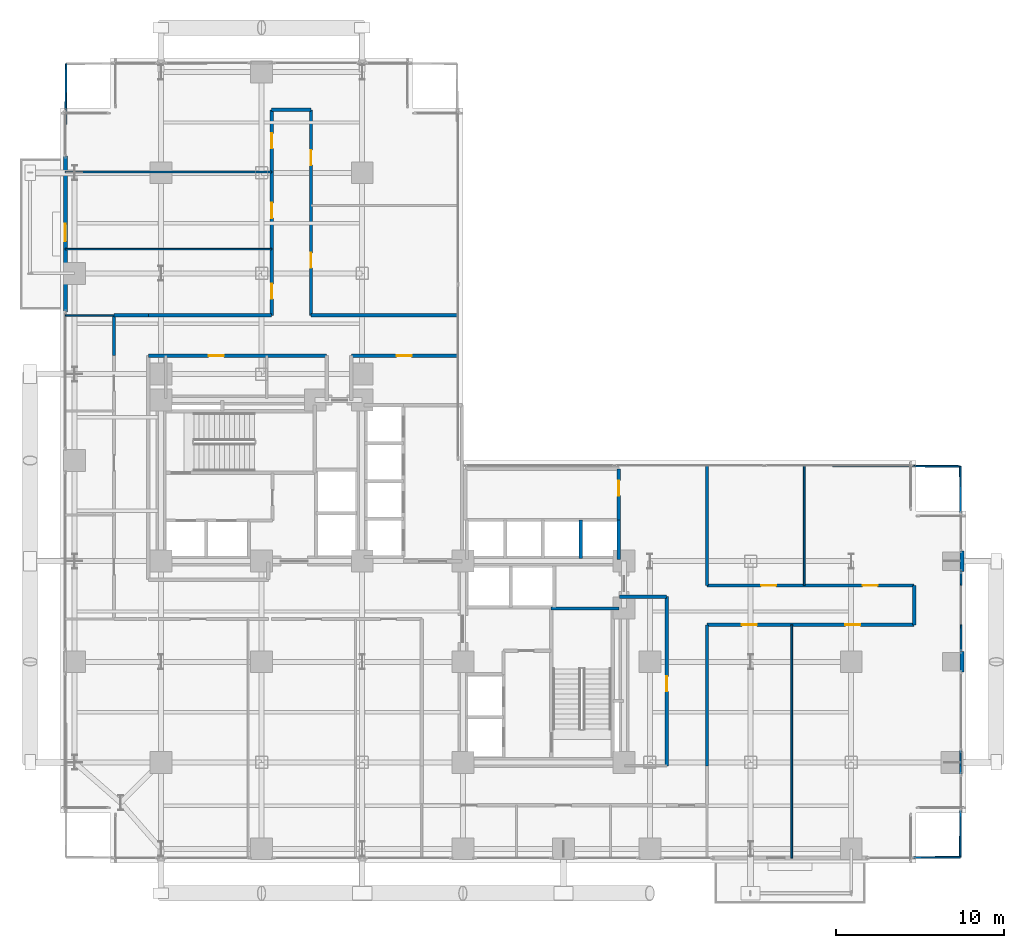
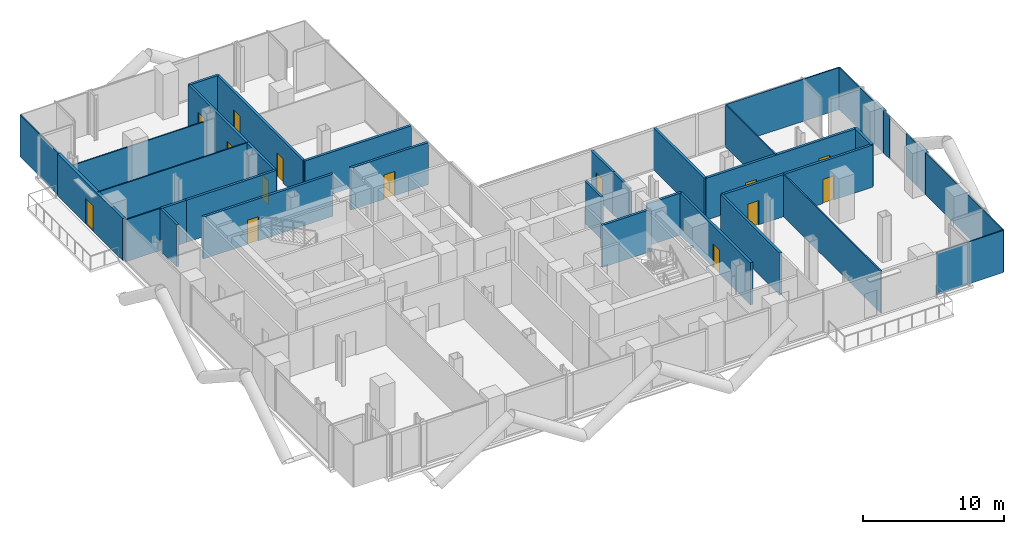
# One storey, part 23 of 27: 35 walls, 14 doors, 14 openings.
"""IFC4 building model written with IfcOpenShell, lengths in metres."""

import ifcopenshell
import ifcopenshell.guid

model = None  # the IFC model being written
_history = None  # IfcOwnerHistory: only IFC2X3 demands one
_inside = {}  # id of a spatial element -> (the spatial element, [elements in it])
_under = {}  # id of a project, library or spatial element -> (it, [spatial elements below it])
_declared = {}  # id of a project -> (the project, [libraries it declares])
_typed = {}  # id of a type object -> (the type object, [elements of that type])
_made_of = {}  # id of a material, layer set ... -> (it, [elements and type objects made of it])


def new_model(schema):
    """Start an empty IFC model of exactly this schema.

    Asked for "IFC4X3", IfcOpenShell would pick the latest addendum, in which some entities
    have other attributes; the version numbers below select the first issue.
    IFC2X3 requires an IfcOwnerHistory on every rooted entity: one is made here for all.
    """
    global model, _history
    if schema == "IFC4X3":
        model = ifcopenshell.file(schema_version=(4, 3, 0, 0))
    else:
        model = ifcopenshell.file(schema=schema)
    _inside.clear()
    _under.clear()
    _declared.clear()
    _typed.clear()
    _made_of.clear()
    _history = None
    if model.schema == "IFC2X3":
        org = make("IfcOrganization", Name="unknown")
        user = make(
            "IfcPersonAndOrganization",
            ThePerson=make("IfcPerson", FamilyName="unknown"),
            TheOrganization=org,
        )
        app = make(
            "IfcApplication",
            ApplicationDeveloper=org,
            Version="unknown",
            ApplicationFullName="unknown",
            ApplicationIdentifier="unknown",
        )
        _history = make(
            "IfcOwnerHistory",
            OwningUser=user,
            OwningApplication=app,
            ChangeAction="ADDED",
            CreationDate=0,
        )
    return model


def make(cls, **values):
    """One entity of the class cls with the attributes given. An attribute that is None is left unset."""
    return model.create_entity(
        cls, **{name: value for name, value in values.items() if value is not None}
    )


def rooted(cls, **values):
    """An entity with a GlobalId (a new one), such as an element, a storey or a relation."""
    return make(cls, GlobalId=ifcopenshell.guid.new(), OwnerHistory=_history, **values)


def si_unit(unit_type, name, prefix=None):
    """IfcSIUnit, for example si_unit("LENGTHUNIT", "METRE", prefix="MILLI")."""
    return make("IfcSIUnit", UnitType=unit_type, Prefix=prefix, Name=name)


def assignment(units):
    """IfcUnitAssignment: the units of a project."""
    return None if units is None else make("IfcUnitAssignment", Units=units)


def point(xyz):
    """IfcCartesianPoint."""
    return None if xyz is None else make("IfcCartesianPoint", Coordinates=xyz)


def direction(xyz):
    """IfcDirection."""
    return None if xyz is None else make("IfcDirection", DirectionRatios=xyz)


def frame(location, z_axis=None, x_axis=None):
    """IfcAxis2Placement3D, a coordinate frame: its origin and axes. An axis left out is left unset."""
    return make(
        "IfcAxis2Placement3D",
        Location=point(location),
        Axis=direction(z_axis),
        RefDirection=direction(x_axis),
    )


def frame_2d(location, x_axis=None):
    """IfcAxis2Placement2D, a coordinate frame in the plane: its origin and x axis."""
    return make(
        "IfcAxis2Placement2D", Location=point(location), RefDirection=direction(x_axis)
    )


def origin():
    """The frame at (0, 0, 0) with its axes left unset."""
    return frame((0.0, 0.0, 0.0))


def place(relative_to, where):
    """IfcLocalPlacement: puts the frame where relative to a parent placement (None: the world)."""
    return make(
        "IfcLocalPlacement", PlacementRelTo=relative_to, RelativePlacement=where
    )


def context(
    kind, dimensions, precision=None, world=None, true_north=None, identifier=None
):
    """IfcGeometricRepresentationContext, for example the 3D "Model" context."""
    return make(
        "IfcGeometricRepresentationContext",
        ContextIdentifier=identifier,
        ContextType=kind,
        CoordinateSpaceDimension=dimensions,
        Precision=precision,
        WorldCoordinateSystem=world,
        TrueNorth=true_north,
    )


def subcontext(parent, identifier, kind, view, scale=None):
    """IfcGeometricRepresentationSubContext, for example "Body" below "Model"."""
    return make(
        "IfcGeometricRepresentationSubContext",
        ContextIdentifier=identifier,
        ContextType=kind,
        ParentContext=parent,
        TargetScale=scale,
        TargetView=view,
    )


def project(units=None, contexts=None):
    """IfcProject with its units and contexts."""
    return rooted(
        "IfcProject",
        Name="project",
        RepresentationContexts=contexts,
        UnitsInContext=assignment(units),
    )


def spatial(cls, under=None, at=None, **own):
    """A site, building, storey or space (cls), placed at a placement, below another one or the project."""
    s = rooted(cls, ObjectPlacement=at, **own)
    if under is not None:
        _under.setdefault(under.id(), (under, []))[1].append(s)
    return s


def profile(cls, at=None, kind="AREA", **sizes):
    """A parametric profile (cls). Its sizes go by their IFC names, for example OverallWidth=200.0."""
    return make(cls, ProfileType=kind, Position=at, **sizes)


def rectangle(**sizes):
    """IfcRectangleProfileDef."""
    return profile("IfcRectangleProfileDef", **sizes)


def extrude(swept, where, along, depth):
    """IfcExtrudedAreaSolid: the profile swept, set in the frame where, extruded along a direction by depth."""
    return make(
        "IfcExtrudedAreaSolid",
        SweptArea=swept,
        Position=where,
        ExtrudedDirection=direction(along),
        Depth=depth,
    )


def shape(context_of_items, identifier, shape_type, items):
    """IfcShapeRepresentation: the items that make up one representation, for example the "Body"."""
    return make(
        "IfcShapeRepresentation",
        ContextOfItems=context_of_items,
        RepresentationIdentifier=identifier,
        RepresentationType=shape_type,
        Items=items,
    )


def material(Name=None, Category=None):
    """IfcMaterial."""
    return make("IfcMaterial", Name=Name, Category=Category)


def layer(
    of_material, thickness, ventilated=None, Name=None, Category=None, Priority=None
):
    """IfcMaterialLayer: one layer of a wall or slab, of a material (None: an air gap)."""
    return make(
        "IfcMaterialLayer",
        Material=of_material,
        LayerThickness=thickness,
        IsVentilated=ventilated,
        Name=Name,
        Category=Category,
        Priority=Priority,
    )


def layer_set(layers, Name=None):
    """IfcMaterialLayerSet."""
    return make("IfcMaterialLayerSet", MaterialLayers=layers, LayerSetName=Name)


def made_of(thing, what):
    """Note that an element or type object is made of a material, layer set ...; save() writes the relation."""
    if what is not None:
        _made_of.setdefault(what.id(), (what, []))[1].append(thing)
    return thing


def type_object(cls, material=None, **own):
    """A type object (cls), such as IfcWallType, which elements share."""
    return made_of(rooted(cls, **own), material)


def element(
    cls,
    number,
    at=None,
    inside=None,
    cuts=None,
    type_object=None,
    material=None,
    context=None,
    identifier="Body",
    shape_type=None,
    held_by="IfcProductDefinitionShape",
    body=None,
    shapes=None,
    **own,
):
    """One element of the class cls, such as IfcWall. Its Tag is "e" and its number.

    at: its placement. inside: the storey or other place that contains it. cuts: it is an
    opening in that element (IfcRelVoidsElement). A single representation is given by context,
    identifier, shape_type and body (its items); several are given by shapes. held_by: the class
    of the entity that holds the representations. save() writes the other relations.
    """
    e = rooted(cls, Tag="e%d" % number, ObjectPlacement=at, **own)
    if body is not None:
        shapes = [shape(context, identifier, shape_type, body)]
    if shapes is not None:
        e.Representation = make(held_by, Representations=shapes)
    if inside is not None:
        _inside.setdefault(inside.id(), (inside, []))[1].append(e)
    if cuts is not None:
        rooted(
            "IfcRelVoidsElement", RelatingBuildingElement=cuts, RelatedOpeningElement=e
        )
    if type_object is not None:
        _typed.setdefault(type_object.id(), (type_object, []))[1].append(e)
    return made_of(e, material)


def fill(opening, filler):
    """IfcRelFillsElement: the door or window that sits in an opening."""
    return rooted(
        "IfcRelFillsElement",
        RelatingOpeningElement=opening,
        RelatedBuildingElement=filler,
    )


def aggregate(whole, parts):
    """IfcRelAggregates: a whole, such as a stair, and the parts it consists of."""
    return rooted("IfcRelAggregates", RelatingObject=whole, RelatedObjects=parts)


def save(model, path):
    """Write the relations noted so far, then the file.

    IfcRelAggregates (storeys below a building ...), IfcRelContainedInSpatialStructure (elements
    in a storey), IfcRelDefinesByType, IfcRelAssociatesMaterial and IfcRelDeclares: one each for
    every whole, place, type object, material and project.
    """
    for whole, parts in _under.values():
        aggregate(whole, parts)
    for where, things in _inside.values():
        rooted(
            "IfcRelContainedInSpatialStructure",
            RelatedElements=things,
            RelatingStructure=where,
        )
    for kind, things in _typed.values():
        rooted("IfcRelDefinesByType", RelatedObjects=things, RelatingType=kind)
    for what, things in _made_of.values():
        rooted("IfcRelAssociatesMaterial", RelatedObjects=things, RelatingMaterial=what)
    for by, libraries in _declared.values():
        rooted("IfcRelDeclares", RelatingContext=by, RelatedDefinitions=libraries)
    model.write(path)


model = new_model("IFC4")

# Units and contexts
model_context = context("Model", 3, precision=1e-05, world=origin(), true_north=direction((0.0, 1.0)))
body_context = subcontext(model_context, "Body", "Model", "MODEL_VIEW")
ifc_project = project(units=[si_unit("LENGTHUNIT", "METRE"), si_unit("AREAUNIT", "SQUARE_METRE"), si_unit("VOLUMEUNIT", "CUBIC_METRE"), si_unit("PLANEANGLEUNIT", "RADIAN"), si_unit("MASSUNIT", "GRAM", prefix="KILO"), si_unit("THERMODYNAMICTEMPERATUREUNIT", "KELVIN"), si_unit("POWERUNIT", "WATT")], contexts=[model_context])

# Site, building, storey
site_placement = place(None, origin())
site = spatial("IfcSite", under=ifc_project, at=site_placement, CompositionType="ELEMENT")
building_placement = place(site_placement, origin())
building = spatial("IfcBuilding", under=site, at=building_placement, Name="Svarakhadi Broadcast Tower", CompositionType="ELEMENT")
storey_placement = place(building_placement, frame((0.0, 0.0, 87.0)))
storey = spatial("IfcBuildingStorey", under=building, at=storey_placement, Name="L20", CompositionType="ELEMENT", Elevation=87.0)

# Wall, opening, door
ifc_material_1 = material(Name="Concrete C40/50 (IS 456 M50)", Category="concrete")
ifc_layer_1 = layer(ifc_material_1, 0.239990234375)
ifc_layer_set_1 = layer_set([ifc_layer_1], Name="Concrete C40/50 (IS 456 M50)")
wall_type_1 = type_object("IfcWallType", Name="Wall_Ext_240", PredefinedType="SOLIDWALL", material=ifc_layer_set_1)
wall_1_placement = place(storey_placement, frame((0.300048828125, 32.85498046875, 0.0), z_axis=(0.0, 0.0, 1.0), x_axis=(0.0, 1.0, 0.0)))
wall_1 = element("IfcWall", 1, at=wall_1_placement, inside=storey, type_object=wall_type_1, Name="L20 West Tree Balcony Spandrel Wall", PredefinedType="SOLIDWALL", context=body_context, shape_type="SweptSolid", body=[
    extrude(rectangle(XDim=9.2900390625, YDim=0.239990234375, at=frame_2d((4.64501953125, 0.0))), origin(), (0.0, 0.0, 1.0), 3.64990234375),
])
opening_1_placement = place(wall_1_placement, frame((4.199951171875, 0.0, 0.0)))
opening_1 = element("IfcOpeningElement", 2, at=opening_1_placement, cuts=wall_1, Name="Opening ED-05", PredefinedType="OPENING", context=body_context, shape_type="SweptSolid", body=[
    extrude(rectangle(XDim=1.050048828125, YDim=2.199951171875, at=frame_2d((0.52490234375, 1.10009765625))), frame((0.0, 0.1298828125, 0.0), z_axis=(0.0, -1.0, 0.0), x_axis=(1.0, 0.0, 0.0)), (0.0, 0.0, 1.0), 0.260009765625),
])
ifc_material_2 = material(Name="Anodised Bronze Aluminium AA 6063-T6", Category="aluminium")
door_type_1 = type_object("IfcDoorType", Name="Door_Ext_ED05", OperationType="SINGLE_SWING_LEFT", PredefinedType="DOOR", material=ifc_material_2)
door_1_placement = place(opening_1_placement, origin())
door_1 = element("IfcDoor", 3, at=door_1_placement, inside=storey, type_object=door_type_1, Name="L20 West Tree Balcony Door", OperationType="SINGLE_SWING_LEFT", OverallHeight=2.199951171875, OverallWidth=1.050048828125, PredefinedType="DOOR", context=body_context, shape_type="SweptSolid", body=[
    extrude(rectangle(XDim=1.050048828125, YDim=2.199951171875, at=frame_2d((0.52490234375, 1.10009765625))), frame((0.0, 0.02490234375, 0.0), z_axis=(0.0, -1.0, 0.0), x_axis=(1.0, 0.0, 0.0)), (0.0, 0.0, 1.0), 0.050048828125),
])
fill(opening_1, door_1)

# Walls
for number, where, z_axis, x_axis, name in (
    (4, (53.760009765625, 18.614990234375, 0.0), (0.0, 0.0, 1.0), (0.0, -1.0, 0.0), "L20 Perimeter Bronze Spandrel Closure Wall 03"),
    (5, (53.760009765625, 12.614990234375, 0.0), (0.0, 0.0, 1.0), (0.0, -1.0, 0.0), "L20 Perimeter Bronze Spandrel Closure Wall 04"),
):
    element("IfcWall", number, at=place(storey_placement, frame(where, z_axis=z_axis, x_axis=x_axis)), inside=storey, type_object=wall_type_1, Name=name, PredefinedType="SOLIDWALL", context=body_context, shape_type="SweptSolid", body=[
        extrude(rectangle(XDim=1.22998046875, YDim=0.239990234375, at=frame_2d((0.614990234375, 0.0))), origin(), (0.0, 0.0, 1.0), 3.64990234375),
    ])

# Wall, opening, door
ifc_layer_2 = layer(ifc_material_1, 0.199951171875)
ifc_layer_set_2 = layer_set([ifc_layer_2], Name="Concrete C40/50 (IS 456 M50)")
wall_type_2 = type_object("IfcWallType", Name="Wall_Fire_200", PredefinedType="SOLIDWALL", material=ifc_layer_set_2)
wall_2_placement = place(storey_placement, frame((36.14990234375, 5.800048828125, 0.0), z_axis=(0.0, 0.0, 1.0), x_axis=(0.0, 1.0, 0.0)))
wall_2 = element("IfcWall", 6, at=wall_2_placement, inside=storey, type_object=wall_type_2, Name="L20 Broadcast Corridor Wall", PredefinedType="SOLIDWALL", context=body_context, shape_type="SweptSolid", body=[
    extrude(rectangle(XDim=10.079833984375, YDim=0.199951171875, at=frame_2d((5.0400390625, 0.0))), origin(), (0.0, 0.0, 1.0), 3.64990234375),
])
opening_2_placement = place(wall_2_placement, frame((4.429931640625, 0.0, 0.0)))
opening_2 = element("IfcOpeningElement", 7, at=opening_2_placement, cuts=wall_2, Name="Opening D-14", PredefinedType="OPENING", context=body_context, shape_type="SweptSolid", body=[
    extrude(rectangle(XDim=0.89990234375, YDim=2.10009765625, at=frame_2d((0.449951171875, 1.050048828125))), frame((0.0, 0.10986328125, 0.0), z_axis=(0.0, -1.0, 0.0), x_axis=(1.0, 0.0, 0.0)), (0.0, 0.0, 1.0), 0.219970703125),
])
ifc_material_3 = material(Name="Solid-Core Teak Veneer Acoustic Timber Leaf", Category="wood")
door_type_2 = type_object("IfcDoorType", Name="Door_Int_D14", OperationType="SINGLE_SWING_LEFT", PredefinedType="DOOR", material=ifc_material_3)
door_2_placement = place(opening_2_placement, origin())
door_2 = element("IfcDoor", 8, at=door_2_placement, inside=storey, type_object=door_type_2, Name="L20 Live Feed Monitoring Studio Door", OperationType="SINGLE_SWING_LEFT", OverallHeight=2.10009765625, OverallWidth=0.89990234375, PredefinedType="DOOR", context=body_context, shape_type="SweptSolid", body=[
    extrude(rectangle(XDim=0.89990234375, YDim=2.10009765625, at=frame_2d((0.449951171875, 1.050048828125))), frame((0.0, 0.02490234375, 0.0), z_axis=(0.0, -1.0, 0.0), x_axis=(1.0, 0.0, 0.0)), (0.0, 0.0, 1.0), 0.050048828125),
])
fill(opening_2, door_2)

# Walls
wall_3_placement = place(storey_placement, frame((36.14990234375, 15.8798828125, 0.0), z_axis=(0.0, 0.0, 1.0), x_axis=(-1.0, 0.0, 0.0)))
element("IfcWall", 9, at=wall_3_placement, inside=storey, type_object=wall_type_2, Name="L20 Broadcast Corridor Wall", PredefinedType="SOLIDWALL", context=body_context, shape_type="SweptSolid", body=[
    extrude(rectangle(XDim=2.809814453125, YDim=0.199951171875, at=frame_2d((1.40478515625, 0.0))), origin(), (0.0, 0.0, 1.0), 3.64990234375),
])
wall_4_placement = place(storey_placement, frame((38.550048828125, 23.699951171875, 0.0), z_axis=(0.0, 0.0, 1.0), x_axis=(0.0, -1.0, 0.0)))
element("IfcWall", 10, at=wall_4_placement, inside=storey, type_object=wall_type_2, Name="L20 Broadcast Corridor Wall", PredefinedType="SOLIDWALL", context=body_context, shape_type="SweptSolid", body=[
    extrude(rectangle(XDim=7.14990234375, YDim=0.199951171875, at=frame_2d((3.574951171875, 0.0))), origin(), (0.0, 0.0, 1.0), 3.64990234375),
])

# Wall, openings, doors
wall_5_placement = place(storey_placement, frame((38.550048828125, 16.550048828125, 0.0), z_axis=(0.0, 0.0, 1.0), x_axis=(1.0, 0.0, 0.0)))
wall_5 = element("IfcWall", 11, at=wall_5_placement, inside=storey, type_object=wall_type_2, Name="L20 Broadcast Corridor Wall", PredefinedType="SOLIDWALL", context=body_context, shape_type="SweptSolid", body=[
    extrude(rectangle(XDim=12.349853515625, YDim=0.199951171875, at=frame_2d((6.1748046875, 0.0))), origin(), (0.0, 0.0, 1.0), 3.64990234375),
])
opening_3_placement = place(wall_5_placement, frame((3.22998046875, 0.0, 0.0)))
opening_3 = element("IfcOpeningElement", 12, at=opening_3_placement, cuts=wall_5, Name="Opening D-15", PredefinedType="OPENING", context=body_context, shape_type="SweptSolid", body=[
    extrude(rectangle(XDim=0.89990234375, YDim=2.10009765625, at=frame_2d((0.449951171875, 1.050048828125))), frame((0.0, 0.10986328125, 0.0), z_axis=(0.0, -1.0, 0.0), x_axis=(1.0, 0.0, 0.0)), (0.0, 0.0, 1.0), 0.219970703125),
])
opening_4_placement = place(wall_5_placement, frame((9.280029296875, 0.0, 0.0)))
opening_4 = element("IfcOpeningElement", 13, at=opening_4_placement, cuts=wall_5, Name="Opening D-14", PredefinedType="OPENING", context=body_context, shape_type="SweptSolid", body=[
    extrude(rectangle(XDim=0.89990234375, YDim=2.10009765625, at=frame_2d((0.449951171875, 1.050048828125))), frame((0.0, 0.10986328125, 0.0), z_axis=(0.0, -1.0, 0.0), x_axis=(1.0, 0.0, 0.0)), (0.0, 0.0, 1.0), 0.219970703125),
])
door_3_placement = place(opening_4_placement, origin())
door_3 = element("IfcDoor", 14, at=door_3_placement, inside=storey, type_object=door_type_2, Name="L20 Broadcast Equipment Operations Room Door", OperationType="SINGLE_SWING_LEFT", OverallHeight=2.10009765625, OverallWidth=0.89990234375, PredefinedType="DOOR", context=body_context, shape_type="SweptSolid", body=[
    extrude(rectangle(XDim=0.89990234375, YDim=2.10009765625, at=frame_2d((0.449951171875, 1.050048828125))), frame((0.0, 0.02490234375, 0.0), z_axis=(0.0, -1.0, 0.0), x_axis=(1.0, 0.0, 0.0)), (0.0, 0.0, 1.0), 0.050048828125),
])
fill(opening_4, door_3)
door_type_3 = type_object("IfcDoorType", Name="Door_Int_D15", OperationType="SINGLE_SWING_RIGHT", PredefinedType="DOOR", material=ifc_material_3)
door_4_placement = place(opening_3_placement, origin())
door_4 = element("IfcDoor", 15, at=door_4_placement, inside=storey, type_object=door_type_3, Name="L20 Broadcast Acoustic Booth Door", OperationType="SINGLE_SWING_RIGHT", OverallHeight=2.10009765625, OverallWidth=0.89990234375, PredefinedType="DOOR", context=body_context, shape_type="SweptSolid", body=[
    extrude(rectangle(XDim=0.89990234375, YDim=2.10009765625, at=frame_2d((0.449951171875, 1.050048828125))), frame((0.0, 0.02490234375, 0.0), z_axis=(0.0, -1.0, 0.0), x_axis=(1.0, 0.0, 0.0)), (0.0, 0.0, 1.0), 0.050048828125),
])
fill(opening_3, door_4)

# Wall
wall_6_placement = place(storey_placement, frame((50.89990234375, 16.550048828125, 0.0), z_axis=(0.0, 0.0, 1.0), x_axis=(0.0, -1.0, 0.0)))
element("IfcWall", 16, at=wall_6_placement, inside=storey, type_object=wall_type_2, Name="L20 Broadcast Corridor Wall", PredefinedType="SOLIDWALL", context=body_context, shape_type="SweptSolid", body=[
    extrude(rectangle(XDim=2.35009765625, YDim=0.199951171875, at=frame_2d((1.175048828125, 0.0))), origin(), (0.0, 0.0, 1.0), 3.64990234375),
])

# Wall, openings, doors
wall_7_placement = place(storey_placement, frame((50.89990234375, 14.199951171875, 0.0), z_axis=(0.0, 0.0, 1.0), x_axis=(-1.0, 0.0, 0.0)))
wall_7 = element("IfcWall", 17, at=wall_7_placement, inside=storey, type_object=wall_type_2, Name="L20 Broadcast Corridor Wall", PredefinedType="SOLIDWALL", context=body_context, shape_type="SweptSolid", body=[
    extrude(rectangle(XDim=12.349853515625, YDim=0.199951171875, at=frame_2d((6.1748046875, 0.0))), origin(), (0.0, 0.0, 1.0), 3.64990234375),
])
opening_5_placement = place(wall_7_placement, frame((9.375, 0.0, 0.0)))
opening_5 = element("IfcOpeningElement", 18, at=opening_5_placement, cuts=wall_7, Name="Opening D-15", PredefinedType="OPENING", context=body_context, shape_type="SweptSolid", body=[
    extrude(rectangle(XDim=0.89990234375, YDim=2.10009765625, at=frame_2d((0.449951171875, 1.050048828125))), frame((0.0, 0.10986328125, 0.0), z_axis=(0.0, -1.0, 0.0), x_axis=(1.0, 0.0, 0.0)), (0.0, 0.0, 1.0), 0.219970703125),
])
opening_6_placement = place(wall_7_placement, frame((3.199951171875, 0.0, 0.0)))
opening_6 = element("IfcOpeningElement", 19, at=opening_6_placement, cuts=wall_7, Name="Opening D-14", PredefinedType="OPENING", context=body_context, shape_type="SweptSolid", body=[
    extrude(rectangle(XDim=0.89990234375, YDim=2.10009765625, at=frame_2d((0.449951171875, 1.050048828125))), frame((0.0, 0.10986328125, 0.0), z_axis=(0.0, -1.0, 0.0), x_axis=(1.0, 0.0, 0.0)), (0.0, 0.0, 1.0), 0.219970703125),
])
door_5_placement = place(opening_6_placement, origin())
door_5 = element("IfcDoor", 20, at=door_5_placement, inside=storey, type_object=door_type_2, Name="L20 Executive Working Dining Salon Door", OperationType="SINGLE_SWING_LEFT", OverallHeight=2.10009765625, OverallWidth=0.89990234375, PredefinedType="DOOR", context=body_context, shape_type="SweptSolid", body=[
    extrude(rectangle(XDim=0.89990234375, YDim=2.10009765625, at=frame_2d((0.449951171875, 1.050048828125))), frame((0.0, 0.02490234375, 0.0), z_axis=(0.0, -1.0, 0.0), x_axis=(1.0, 0.0, 0.0)), (0.0, 0.0, 1.0), 0.050048828125),
])
fill(opening_6, door_5)
door_6_placement = place(opening_5_placement, origin())
door_6 = element("IfcDoor", 21, at=door_6_placement, inside=storey, type_object=door_type_3, Name="L20 Broadcast Legal Counsel Chambers Door", OperationType="SINGLE_SWING_RIGHT", OverallHeight=2.10009765625, OverallWidth=0.89990234375, PredefinedType="DOOR", context=body_context, shape_type="SweptSolid", body=[
    extrude(rectangle(XDim=0.89990234375, YDim=2.10009765625, at=frame_2d((0.449951171875, 1.050048828125))), frame((0.0, 0.02490234375, 0.0), z_axis=(0.0, -1.0, 0.0), x_axis=(1.0, 0.0, 0.0)), (0.0, 0.0, 1.0), 0.050048828125),
])
fill(opening_5, door_6)

# Walls
wall_8_placement = place(storey_placement, frame((38.550048828125, 14.199951171875, 0.0), z_axis=(0.0, 0.0, 1.0), x_axis=(0.0, -1.0, 0.0)))
element("IfcWall", 22, at=wall_8_placement, inside=storey, type_object=wall_type_2, Name="L20 Broadcast Corridor Wall", PredefinedType="SOLIDWALL", context=body_context, shape_type="SweptSolid", body=[
    extrude(rectangle(XDim=8.39990234375, YDim=0.199951171875, at=frame_2d((4.199951171875, 0.0))), origin(), (0.0, 0.0, 1.0), 3.64990234375),
])
wall_9_placement = place(storey_placement, frame((3.199951171875, 30.25, 0.0), z_axis=(0.0, 0.0, 1.0), x_axis=(0.0, 1.0, 0.0)))
element("IfcWall", 23, at=wall_9_placement, inside=storey, type_object=wall_type_2, Name="L20 Broadcast Corridor Wall", PredefinedType="SOLIDWALL", context=body_context, shape_type="SweptSolid", body=[
    extrude(rectangle(XDim=2.39990234375, YDim=0.199951171875, at=frame_2d((1.199951171875, 0.0))), origin(), (0.0, 0.0, 1.0), 3.64990234375),
])
wall_10_placement = place(storey_placement, frame((3.199951171875, 32.64990234375, 0.0), z_axis=(0.0, 0.0, 1.0), x_axis=(1.0, 0.0, 0.0)))
element("IfcWall", 24, at=wall_10_placement, inside=storey, type_object=wall_type_2, Name="L20 Broadcast Corridor Wall", PredefinedType="SOLIDWALL", context=body_context, shape_type="SweptSolid", body=[
    extrude(rectangle(XDim=2.050048828125, YDim=0.199951171875, at=frame_2d((1.02490234375, 0.0))), origin(), (0.0, 0.0, 1.0), 3.64990234375),
])
wall_11_placement = place(storey_placement, frame((5.25, 32.64990234375, 0.0), z_axis=(0.0, 0.0, 1.0), x_axis=(1.0, 0.0, 0.0)))
element("IfcWall", 25, at=wall_11_placement, inside=storey, type_object=wall_type_2, Name="L20 Broadcast Corridor Wall", PredefinedType="SOLIDWALL", context=body_context, shape_type="SweptSolid", body=[
    extrude(rectangle(XDim=7.35009765625, YDim=0.199951171875, at=frame_2d((3.675048828125, 0.0))), origin(), (0.0, 0.0, 1.0), 3.64990234375),
])

# Wall, openings, doors
wall_12_placement = place(storey_placement, frame((12.60009765625, 32.64990234375, 0.0), z_axis=(0.0, 0.0, 1.0), x_axis=(0.0, 1.0, 0.0)))
wall_12 = element("IfcWall", 26, at=wall_12_placement, inside=storey, type_object=wall_type_2, Name="L20 Broadcast Corridor Wall", PredefinedType="SOLIDWALL", context=body_context, shape_type="SweptSolid", body=[
    extrude(rectangle(XDim=12.25, YDim=0.199951171875, at=frame_2d((6.125, 0.0))), origin(), (0.0, 0.0, 1.0), 3.64990234375),
])
opening_7_placement = place(wall_12_placement, frame((0.97998046875, 0.0, 0.0)))
opening_7 = element("IfcOpeningElement", 27, at=opening_7_placement, cuts=wall_12, Name="Opening D-14", PredefinedType="OPENING", context=body_context, shape_type="SweptSolid", body=[
    extrude(rectangle(XDim=0.89990234375, YDim=2.10009765625, at=frame_2d((0.449951171875, 1.050048828125))), frame((0.0, 0.10986328125, 0.0), z_axis=(0.0, -1.0, 0.0), x_axis=(1.0, 0.0, 0.0)), (0.0, 0.0, 1.0), 0.219970703125),
])
opening_8_placement = place(wall_12_placement, frame((5.800048828125, 0.0, 0.0)))
opening_8 = element("IfcOpeningElement", 28, at=opening_8_placement, cuts=wall_12, Name="Opening D-15", PredefinedType="OPENING", context=body_context, shape_type="SweptSolid", body=[
    extrude(rectangle(XDim=0.89990234375, YDim=2.10009765625, at=frame_2d((0.449951171875, 1.050048828125))), frame((0.0, 0.10986328125, 0.0), z_axis=(0.0, -1.0, 0.0), x_axis=(1.0, 0.0, 0.0)), (0.0, 0.0, 1.0), 0.219970703125),
])
opening_9_placement = place(wall_12_placement, frame((9.949951171875, 0.0, 0.0)))
opening_9 = element("IfcOpeningElement", 29, at=opening_9_placement, cuts=wall_12, Name="Opening D-14", PredefinedType="OPENING", context=body_context, shape_type="SweptSolid", body=[
    extrude(rectangle(XDim=0.89990234375, YDim=2.10009765625, at=frame_2d((0.449951171875, 1.050048828125))), frame((0.0, 0.10986328125, 0.0), z_axis=(0.0, -1.0, 0.0), x_axis=(1.0, 0.0, 0.0)), (0.0, 0.0, 1.0), 0.219970703125),
])
door_7_placement = place(opening_7_placement, origin())
door_7 = element("IfcDoor", 30, at=door_7_placement, inside=storey, type_object=door_type_2, Name="L20 Finance Controller Office Door", OperationType="SINGLE_SWING_LEFT", OverallHeight=2.10009765625, OverallWidth=0.89990234375, PredefinedType="DOOR", context=body_context, shape_type="SweptSolid", body=[
    extrude(rectangle(XDim=0.89990234375, YDim=2.10009765625, at=frame_2d((0.449951171875, 1.050048828125))), frame((0.0, 0.02490234375, 0.0), z_axis=(0.0, -1.0, 0.0), x_axis=(1.0, 0.0, 0.0)), (0.0, 0.0, 1.0), 0.050048828125),
])
fill(opening_7, door_7)
door_8_placement = place(opening_9_placement, origin())
door_8 = element("IfcDoor", 31, at=door_8_placement, inside=storey, type_object=door_type_2, Name="L20 Compliance Registry Store Door", OperationType="SINGLE_SWING_LEFT", OverallHeight=2.10009765625, OverallWidth=0.89990234375, PredefinedType="DOOR", context=body_context, shape_type="SweptSolid", body=[
    extrude(rectangle(XDim=0.89990234375, YDim=2.10009765625, at=frame_2d((0.449951171875, 1.050048828125))), frame((0.0, 0.02490234375, 0.0), z_axis=(0.0, -1.0, 0.0), x_axis=(1.0, 0.0, 0.0)), (0.0, 0.0, 1.0), 0.050048828125),
])
fill(opening_9, door_8)
door_9_placement = place(opening_8_placement, origin())
door_9 = element("IfcDoor", 32, at=door_9_placement, inside=storey, type_object=door_type_3, Name="L20 Audit Review Room Door", OperationType="SINGLE_SWING_RIGHT", OverallHeight=2.10009765625, OverallWidth=0.89990234375, PredefinedType="DOOR", context=body_context, shape_type="SweptSolid", body=[
    extrude(rectangle(XDim=0.89990234375, YDim=2.10009765625, at=frame_2d((0.449951171875, 1.050048828125))), frame((0.0, 0.02490234375, 0.0), z_axis=(0.0, -1.0, 0.0), x_axis=(1.0, 0.0, 0.0)), (0.0, 0.0, 1.0), 0.050048828125),
])
fill(opening_8, door_9)

# Wall
wall_13_placement = place(storey_placement, frame((12.60009765625, 44.89990234375, 0.0), z_axis=(0.0, 0.0, 1.0), x_axis=(1.0, 0.0, 0.0)))
element("IfcWall", 33, at=wall_13_placement, inside=storey, type_object=wall_type_2, Name="L20 Broadcast Corridor Wall", PredefinedType="SOLIDWALL", context=body_context, shape_type="SweptSolid", body=[
    extrude(rectangle(XDim=2.349853515625, YDim=0.199951171875, at=frame_2d((1.1748046875, 0.0))), origin(), (0.0, 0.0, 1.0), 3.64990234375),
])

# Wall, openings, doors
wall_14_placement = place(storey_placement, frame((14.949951171875, 44.89990234375, 0.0), z_axis=(0.0, 0.0, 1.0), x_axis=(0.0, -1.0, 0.0)))
wall_14 = element("IfcWall", 34, at=wall_14_placement, inside=storey, type_object=wall_type_2, Name="L20 Broadcast Corridor Wall", PredefinedType="SOLIDWALL", context=body_context, shape_type="SweptSolid", body=[
    extrude(rectangle(XDim=12.25, YDim=0.199951171875, at=frame_2d((6.125, 0.0))), origin(), (0.0, 0.0, 1.0), 3.64990234375),
])
opening_10_placement = place(wall_14_placement, frame((8.52490234375, 0.0, 0.0)))
opening_10 = element("IfcOpeningElement", 35, at=opening_10_placement, cuts=wall_14, Name="Opening D-15", PredefinedType="OPENING", context=body_context, shape_type="SweptSolid", body=[
    extrude(rectangle(XDim=0.89990234375, YDim=2.10009765625, at=frame_2d((0.449951171875, 1.050048828125))), frame((0.0, 0.10986328125, 0.0), z_axis=(0.0, -1.0, 0.0), x_axis=(1.0, 0.0, 0.0)), (0.0, 0.0, 1.0), 0.219970703125),
])
opening_11_placement = place(wall_14_placement, frame((2.39990234375, 0.0, 0.0)))
opening_11 = element("IfcOpeningElement", 36, at=opening_11_placement, cuts=wall_14, Name="Opening D-14", PredefinedType="OPENING", context=body_context, shape_type="SweptSolid", body=[
    extrude(rectangle(XDim=0.89990234375, YDim=2.10009765625, at=frame_2d((0.449951171875, 1.050048828125))), frame((0.0, 0.10986328125, 0.0), z_axis=(0.0, -1.0, 0.0), x_axis=(1.0, 0.0, 0.0)), (0.0, 0.0, 1.0), 0.219970703125),
])
door_10_placement = place(opening_11_placement, origin())
door_10 = element("IfcDoor", 37, at=door_10_placement, inside=storey, type_object=door_type_2, Name="L20 VIP Protocol Office Door", OperationType="SINGLE_SWING_LEFT", OverallHeight=2.10009765625, OverallWidth=0.89990234375, PredefinedType="DOOR", context=body_context, shape_type="SweptSolid", body=[
    extrude(rectangle(XDim=0.89990234375, YDim=2.10009765625, at=frame_2d((0.449951171875, 1.050048828125))), frame((0.0, 0.02490234375, 0.0), z_axis=(0.0, -1.0, 0.0), x_axis=(1.0, 0.0, 0.0)), (0.0, 0.0, 1.0), 0.050048828125),
])
fill(opening_11, door_10)
door_11_placement = place(opening_10_placement, origin())
door_11 = element("IfcDoor", 38, at=door_11_placement, inside=storey, type_object=door_type_3, Name="L20 Talent Relations Lounge Door", OperationType="SINGLE_SWING_RIGHT", OverallHeight=2.10009765625, OverallWidth=0.89990234375, PredefinedType="DOOR", context=body_context, shape_type="SweptSolid", body=[
    extrude(rectangle(XDim=0.89990234375, YDim=2.10009765625, at=frame_2d((0.449951171875, 1.050048828125))), frame((0.0, 0.02490234375, 0.0), z_axis=(0.0, -1.0, 0.0), x_axis=(1.0, 0.0, 0.0)), (0.0, 0.0, 1.0), 0.050048828125),
])
fill(opening_10, door_11)

# Wall
wall_15_placement = place(storey_placement, frame((14.949951171875, 32.64990234375, 0.0), z_axis=(0.0, 0.0, 1.0), x_axis=(1.0, 0.0, 0.0)))
element("IfcWall", 39, at=wall_15_placement, inside=storey, type_object=wall_type_2, Name="L20 Broadcast Corridor Wall", PredefinedType="SOLIDWALL", context=body_context, shape_type="SweptSolid", body=[
    extrude(rectangle(XDim=8.75, YDim=0.199951171875, at=frame_2d((4.375, 0.0))), origin(), (0.0, 0.0, 1.0), 3.64990234375),
])

# Wall, opening, door
wall_16_placement = place(storey_placement, frame((23.699951171875, 30.25, 0.0), z_axis=(0.0, 0.0, 1.0), x_axis=(-1.0, 0.0, 0.0)))
wall_16 = element("IfcWall", 40, at=wall_16_placement, inside=storey, type_object=wall_type_2, Name="L20 Broadcast Corridor Wall", PredefinedType="SOLIDWALL", context=body_context, shape_type="SweptSolid", body=[
    extrude(rectangle(XDim=6.349853515625, YDim=0.199951171875, at=frame_2d((3.1748046875, 0.0))), origin(), (0.0, 0.0, 1.0), 3.64990234375),
])
opening_12_placement = place(wall_16_placement, frame((2.75, 0.0, 0.0)))
opening_12 = element("IfcOpeningElement", 41, at=opening_12_placement, cuts=wall_16, Name="Opening D-15", PredefinedType="OPENING", context=body_context, shape_type="SweptSolid", body=[
    extrude(rectangle(XDim=0.89990234375, YDim=2.10009765625, at=frame_2d((0.449951171875, 1.050048828125))), frame((0.0, 0.10986328125, 0.0), z_axis=(0.0, -1.0, 0.0), x_axis=(1.0, 0.0, 0.0)), (0.0, 0.0, 1.0), 0.219970703125),
])
door_12_placement = place(opening_12_placement, origin())
door_12 = element("IfcDoor", 42, at=door_12_placement, inside=storey, type_object=door_type_3, Name="L20 Production Continuity Office Door", OperationType="SINGLE_SWING_RIGHT", OverallHeight=2.10009765625, OverallWidth=0.89990234375, PredefinedType="DOOR", context=body_context, shape_type="SweptSolid", body=[
    extrude(rectangle(XDim=0.89990234375, YDim=2.10009765625, at=frame_2d((0.449951171875, 1.050048828125))), frame((0.0, 0.02490234375, 0.0), z_axis=(0.0, -1.0, 0.0), x_axis=(1.0, 0.0, 0.0)), (0.0, 0.0, 1.0), 0.050048828125),
])
fill(opening_12, door_12)

wall_17_placement = place(storey_placement, frame((15.8798828125, 30.25, 0.0), z_axis=(0.0, 0.0, 1.0), x_axis=(-1.0, 0.0, 0.0)))
wall_17 = element("IfcWall", 43, at=wall_17_placement, inside=storey, type_object=wall_type_2, Name="L20 Broadcast Corridor Wall", PredefinedType="SOLIDWALL", context=body_context, shape_type="SweptSolid", body=[
    extrude(rectangle(XDim=10.6298828125, YDim=0.199951171875, at=frame_2d((5.31494140625, 0.0))), origin(), (0.0, 0.0, 1.0), 3.64990234375),
])
opening_13_placement = place(wall_17_placement, frame((6.1298828125, 0.0, 0.0)))
opening_13 = element("IfcOpeningElement", 44, at=opening_13_placement, cuts=wall_17, Name="Opening D-12", PredefinedType="OPENING", context=body_context, shape_type="SweptSolid", body=[
    extrude(rectangle(XDim=0.89990234375, YDim=2.10009765625, at=frame_2d((0.449951171875, 1.050048828125))), frame((0.0, 0.10986328125, 0.0), z_axis=(0.0, -1.0, 0.0), x_axis=(1.0, 0.0, 0.0)), (0.0, 0.0, 1.0), 0.219970703125),
])
door_type_4 = type_object("IfcDoorType", Name="Door_WC_D01", OperationType="SINGLE_SWING_LEFT", PredefinedType="DOOR", material=ifc_material_3)
door_13_placement = place(opening_13_placement, origin())
door_13 = element("IfcDoor", 45, at=door_13_placement, inside=storey, type_object=door_type_4, Name="L20 Accessible Toilet WC Door", OperationType="SINGLE_SWING_LEFT", OverallHeight=2.10009765625, OverallWidth=0.89990234375, PredefinedType="DOOR", context=body_context, shape_type="SweptSolid", body=[
    extrude(rectangle(XDim=0.89990234375, YDim=2.10009765625, at=frame_2d((0.449951171875, 1.050048828125))), frame((0.0, 0.02490234375, 0.0), z_axis=(0.0, -1.0, 0.0), x_axis=(1.0, 0.0, 0.0)), (0.0, 0.0, 1.0), 0.050048828125),
])
fill(opening_13, door_13)

# Walls
ifc_material_4 = material(Name="Fire-Rated Moisture-Resistant Gypsum Board Partition", Category="gypsum")
ifc_layer_3 = layer(ifc_material_4, 0.10009765625)
ifc_layer_set_3 = layer_set([ifc_layer_3], Name="Fire-Rated Moisture-Resistant Gypsum Board Partition")
wall_type_3 = type_object("IfcWallType", Name="Wall_Part_100", PredefinedType="PARTITIONING", material=ifc_layer_set_3)
wall_18_placement = place(storey_placement, frame((43.60009765625, 0.300048828125, 0.0), z_axis=(0.0, 0.0, 1.0), x_axis=(0.0, 1.0, 0.0)))
element("IfcWall", 46, at=wall_18_placement, inside=storey, type_object=wall_type_3, Name="L20 Broadcast Legal Counsel Chambers Wall", PredefinedType="PARTITIONING", context=body_context, shape_type="SweptSolid", body=[
    extrude(rectangle(XDim=13.89990234375, YDim=0.10009765625, at=frame_2d((6.949951171875, 0.0))), origin(), (0.0, 0.0, 1.0), 3.64990234375),
])
wall_19_placement = place(storey_placement, frame((48.14501953125, 0.322509765625, 0.0), z_axis=(0.0, 0.0, 1.0), x_axis=(0.999987442515, 0.005011468024, 0.0)))
element("IfcWall", 47, at=wall_19_placement, inside=storey, type_object=wall_type_3, Name="L20 Executive Working Dining Salon Wall", PredefinedType="PARTITIONING", context=body_context, shape_type="SweptSolid", body=[
    extrude(rectangle(XDim=5.5048828125, YDim=0.10009765625, at=frame_2d((2.75244140625, 0.0))), origin(), (0.0, 0.0, 1.0), 3.64990234375),
])
wall_20_placement = place(storey_placement, frame((53.64990234375, 0.35009765625, 0.0), z_axis=(0.0, 0.0, 1.0), x_axis=(0.003606251025, 0.999993497456, 0.0)))
element("IfcWall", 48, at=wall_20_placement, inside=storey, type_object=wall_type_3, Name="L20 Executive Working Dining Salon Wall", PredefinedType="PARTITIONING", context=body_context, shape_type="SweptSolid", body=[
    extrude(rectangle(XDim=11.034912109375, YDim=0.10009765625, at=frame_2d((5.517578125, 0.0))), origin(), (0.0, 0.0, 1.0), 3.64990234375),
])
wall_21_placement = place(storey_placement, frame((53.6943359375, 12.614990234375, 0.0), z_axis=(0.0, 0.0, 1.0), x_axis=(0.003542799701, 0.999993724265, 0.0)))
element("IfcWall", 49, at=wall_21_placement, inside=storey, type_object=wall_type_3, Name="L20 Executive Working Dining Salon Wall", PredefinedType="PARTITIONING", context=body_context, shape_type="SweptSolid", body=[
    extrude(rectangle(XDim=1.5849609375, YDim=0.10009765625, at=frame_2d((0.79248046875, 0.0))), origin(), (0.0, 0.0, 1.0), 3.64990234375),
])
wall_22_placement = place(storey_placement, frame((44.35009765625, 16.550048828125, 0.0), z_axis=(0.0, 0.0, 1.0), x_axis=(0.0, 1.0, 0.0)))
element("IfcWall", 50, at=wall_22_placement, inside=storey, type_object=wall_type_3, Name="L20 Broadcast Acoustic Booth Wall", PredefinedType="PARTITIONING", context=body_context, shape_type="SweptSolid", body=[
    extrude(rectangle(XDim=7.14990234375, YDim=0.10009765625, at=frame_2d((3.574951171875, 0.0))), origin(), (0.0, 0.0, 1.0), 3.64990234375),
])
wall_23_placement = place(storey_placement, frame((44.35009765625, 23.699951171875, 0.0), z_axis=(0.0, 0.0, 1.0), x_axis=(0.999985518927, -0.005381629512, 0.0)))
element("IfcWall", 51, at=wall_23_placement, inside=storey, type_object=wall_type_3, Name="L20 Broadcast Equipment Operations Room Wall", PredefinedType="PARTITIONING", context=body_context, shape_type="SweptSolid", body=[
    extrude(rectangle(XDim=9.300048828125, YDim=0.10009765625, at=frame_2d((4.64990234375, 0.0))), origin(), (0.0, 0.0, 1.0), 3.64990234375),
])
wall_24_placement = place(storey_placement, frame((53.699951171875, 16.550048828125, 0.0), z_axis=(0.0, 0.0, 1.0), x_axis=(-0.007017371073, 0.999975377948, 0.0)))
element("IfcWall", 52, at=wall_24_placement, inside=storey, type_object=wall_type_3, Name="L20 Broadcast Equipment Operations Room Wall", PredefinedType="PARTITIONING", context=body_context, shape_type="SweptSolid", body=[
    extrude(rectangle(XDim=0.8349609375, YDim=0.10009765625, at=frame_2d((0.41748046875, 0.0))), origin(), (0.0, 0.0, 1.0), 3.64990234375),
])
wall_25_placement = place(storey_placement, frame((53.685546875, 18.614990234375, 0.0), z_axis=(0.0, 0.0, 1.0), x_axis=(-0.007079296972, 0.999974941463, 0.0)))
element("IfcWall", 53, at=wall_25_placement, inside=storey, type_object=wall_type_3, Name="L20 Broadcast Equipment Operations Room Wall", PredefinedType="PARTITIONING", context=body_context, shape_type="SweptSolid", body=[
    extrude(rectangle(XDim=5.03515625, YDim=0.10009765625, at=frame_2d((2.517578125, 0.0))), origin(), (0.0, 0.0, 1.0), 3.64990234375),
])
wall_26_placement = place(storey_placement, frame((0.300048828125, 36.60009765625, 0.0), z_axis=(0.0, 0.0, 1.0), x_axis=(1.0, 0.0, 0.0)))
element("IfcWall", 54, at=wall_26_placement, inside=storey, type_object=wall_type_3, Name="L20 Finance Controller Office Wall", PredefinedType="PARTITIONING", context=body_context, shape_type="SweptSolid", body=[
    extrude(rectangle(XDim=12.300048828125, YDim=0.10009765625, at=frame_2d((6.14990234375, 0.0))), origin(), (0.0, 0.0, 1.0), 3.64990234375),
])
wall_27_placement = place(storey_placement, frame((0.300048828125, 41.199951171875, 0.0), z_axis=(0.0, 0.0, 1.0), x_axis=(1.0, 0.0, 0.0)))
element("IfcWall", 55, at=wall_27_placement, inside=storey, type_object=wall_type_3, Name="L20 Audit Review Room Wall", PredefinedType="PARTITIONING", context=body_context, shape_type="SweptSolid", body=[
    extrude(rectangle(XDim=12.300048828125, YDim=0.10009765625, at=frame_2d((6.14990234375, 0.0))), origin(), (0.0, 0.0, 1.0), 2.991943359375),
])
wall_28_placement = place(storey_placement, frame((0.307373046875, 42.14501953125, 0.0), z_axis=(0.0, 0.0, 1.0), x_axis=(0.007760986763, 0.999969883089, 0.0)))
element("IfcWall", 56, at=wall_28_placement, inside=storey, type_object=wall_type_3, Name="L20 Compliance Registry Store Wall", PredefinedType="PARTITIONING", context=body_context, shape_type="SweptSolid", body=[
    extrude(rectangle(XDim=5.505126953125, YDim=0.10009765625, at=frame_2d((2.75244140625, 0.0))), origin(), (0.0, 0.0, 1.0), 3.64990234375),
])
wall_29_placement = place(storey_placement, frame((0.300048828125, 32.64990234375, 0.0), z_axis=(0.0, 0.0, 1.0), x_axis=(1.0, 0.0, 0.0)))
element("IfcWall", 57, at=wall_29_placement, inside=storey, type_object=wall_type_3, Name="L20 Producer Quiet Lounge Wall", PredefinedType="PARTITIONING", context=body_context, shape_type="SweptSolid", body=[
    extrude(rectangle(XDim=2.89990234375, YDim=0.10009765625, at=frame_2d((1.449951171875, 0.0))), origin(), (0.0, 0.0, 1.0), 3.64990234375),
])
ifc_material_5 = material(Name="Concrete C50/60 (IS 456 M60)", Category="concrete")
ifc_layer_4 = layer(ifc_material_5, 0.199951171875)
ifc_layer_set_4 = layer_set([ifc_layer_4], Name="Concrete C50/60 (IS 456 M60)")
wall_type_4 = type_object("IfcWallType", Name="Wall_Shear_200", PredefinedType="SHEAR", material=ifc_layer_set_4)
wall_30_placement = place(storey_placement, frame((29.260009765625, 15.179931640625, 0.0), z_axis=(0.0, 0.0, 1.0), x_axis=(1.0, 0.0, 0.0)))
element("IfcWall", 58, at=wall_30_placement, inside=storey, type_object=wall_type_4, Name="L20 Stair ST-02 North RC Shaft Wall", PredefinedType="SHEAR", context=body_context, shape_type="SweptSolid", body=[
    extrude(rectangle(XDim=4.0400390625, YDim=0.199951171875, at=frame_2d((2.02001953125, 0.0))), origin(), (0.0, 0.0, 1.0), 3.64990234375),
])
wall_31_placement = place(storey_placement, frame((33.300048828125, 18.10009765625, 0.0), z_axis=(0.0, 0.0, 1.0), x_axis=(0.0, 1.0, 0.0)))
element("IfcWall", 59, at=wall_31_placement, inside=storey, type_object=wall_type_4, Name="L20 Bank B East Shaft Wall", PredefinedType="SHEAR", context=body_context, shape_type="SweptSolid", body=[
    extrude(rectangle(XDim=2.349853515625, YDim=0.199951171875, at=frame_2d((1.1748046875, 0.0))), origin(), (0.0, 0.0, 1.0), 3.64990234375),
])
wall_32_placement = place(storey_placement, frame((31.02001953125, 18.14990234375, 0.0), z_axis=(0.0, 0.0, 1.0), x_axis=(0.0, 1.0, 0.0)))
element("IfcWall", 60, at=wall_32_placement, inside=storey, type_object=wall_type_4, Name="L20 Bank B Divider", PredefinedType="SHEAR", context=body_context, shape_type="SweptSolid", body=[
    extrude(rectangle(XDim=2.300048828125, YDim=0.199951171875, at=frame_2d((1.14990234375, 0.0))), origin(), (0.0, 0.0, 1.0), 3.64990234375),
])

# Wall, opening, door
wall_33_placement = place(storey_placement, frame((33.300048828125, 20.449951171875, 0.0), z_axis=(0.0, 0.0, 1.0), x_axis=(0.0, 1.0, 0.0)))
wall_33 = element("IfcWall", 61, at=wall_33_placement, inside=storey, type_object=wall_type_4, Name="L20 Bank B Lift Hall East Wall", PredefinedType="SHEAR", context=body_context, shape_type="SweptSolid", body=[
    extrude(rectangle(XDim=3.050048828125, YDim=0.199951171875, at=frame_2d((1.52490234375, 0.0))), origin(), (0.0, 0.0, 1.0), 3.64990234375),
])
opening_14_placement = place(wall_33_placement, frame((1.449951171875, 0.0, 0.0)))
opening_14 = element("IfcOpeningElement", 62, at=opening_14_placement, cuts=wall_33, Name="Opening D-04", PredefinedType="OPENING", context=body_context, shape_type="SweptSolid", body=[
    extrude(rectangle(XDim=0.89990234375, YDim=2.14990234375, at=frame_2d((0.449951171875, 1.074951171875))), frame((0.0, 0.10986328125, 0.0), z_axis=(0.0, -1.0, 0.0), x_axis=(1.0, 0.0, 0.0)), (0.0, 0.0, 1.0), 0.219970703125),
])
ifc_material_6 = material(Name="Galvanised Powder-Coated Fire-Rated Steel Leaf", Category="steel")
door_type_5 = type_object("IfcDoorType", Name="Door_Fire_D04", OperationType="SINGLE_SWING_RIGHT", PredefinedType="DOOR", material=ifc_material_6)
door_14_placement = place(opening_14_placement, origin())
door_14 = element("IfcDoor", 63, at=door_14_placement, inside=storey, type_object=door_type_5, Name="L20 Mid-Rise Lift Hall East Corridor Door", OperationType="SINGLE_SWING_RIGHT", OverallHeight=2.14990234375, OverallWidth=0.89990234375, PredefinedType="DOOR", context=body_context, shape_type="SweptSolid", body=[
    extrude(rectangle(XDim=0.89990234375, YDim=2.14990234375, at=frame_2d((0.449951171875, 1.074951171875))), frame((0.0, 0.02490234375, 0.0), z_axis=(0.0, -1.0, 0.0), x_axis=(1.0, 0.0, 0.0)), (0.0, 0.0, 1.0), 0.050048828125),
])
fill(opening_14, door_14)

save(model, "model.ifc")
